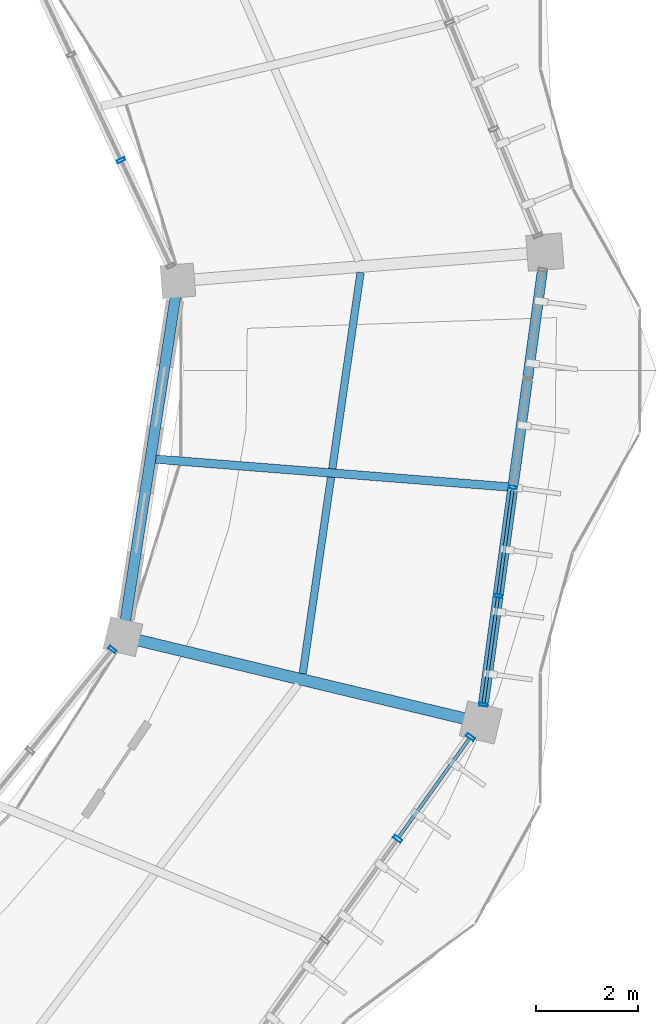
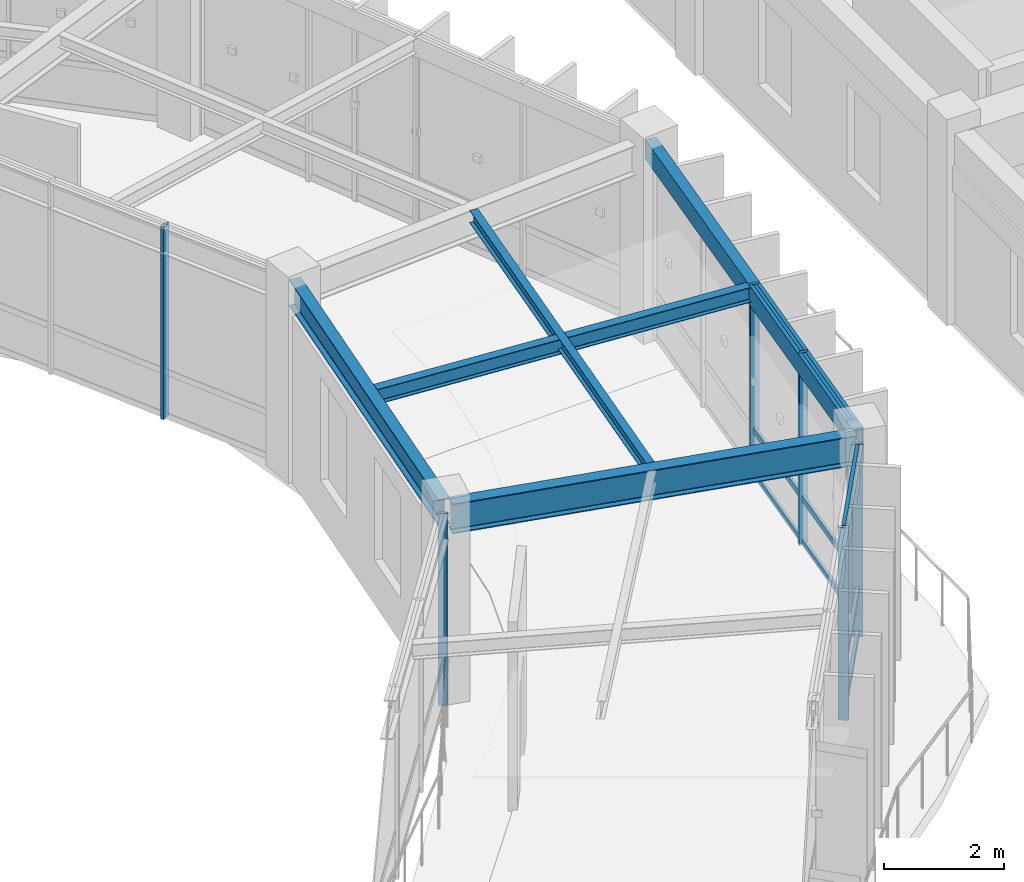
# One storey, part 89 of 138: 16 members, 5 beams, 4 elements without a shape of their own.
"""IFC4 building model written with IfcOpenShell, lengths in metres."""

from ifc_helpers import new_model, si_unit, direction, frame, origin, origin_2d, place, context, subcontext, project, spatial, hollow_rectangle, i_section, extrude, material, material_profile, profile_set, type_object, element, aggregate, save


model = new_model("IFC4")

# Units and contexts
model_context = context("Model", 3, precision=1e-05, world=origin(), true_north=direction((0.0, 1.0)))
body_context = subcontext(model_context, "Body", "Model", "MODEL_VIEW")
ifc_project = project(units=[si_unit("LENGTHUNIT", "METRE"), si_unit("AREAUNIT", "SQUARE_METRE"), si_unit("VOLUMEUNIT", "CUBIC_METRE"), si_unit("PLANEANGLEUNIT", "RADIAN"), si_unit("MASSUNIT", "GRAM", prefix="KILO"), si_unit("THERMODYNAMICTEMPERATUREUNIT", "KELVIN"), si_unit("POWERUNIT", "WATT")], contexts=[model_context])

# Site, building, storey
site_placement = place(None, origin())
site = spatial("IfcSite", under=ifc_project, at=site_placement, CompositionType="ELEMENT")
building_placement = place(site_placement, origin())
building = spatial("IfcBuilding", under=site, at=building_placement, Name="Darbajah Civic Hall", CompositionType="ELEMENT")
storey_placement = place(building_placement, frame((0.0, 0.0, 9.60009765625)))
storey = spatial("IfcBuildingStorey", under=building, at=storey_placement, Name="L02", CompositionType="ELEMENT", Elevation=9.60009765625)

# Curtain wall, member
ifc_material_1 = material(Name="Anodised Bronze Aluminium and Low-E Glazing", Category="aluminium")
curtain_wall_type_1 = type_object("IfcCurtainWallType", Name="Unitised Curtain Wall CW-38 6800x3900", PredefinedType="USERDEFINED", material=ifc_material_1)
curtain_wall_1_placement = place(storey_placement, origin())
curtain_wall_1 = element("IfcCurtainWall", 1, at=curtain_wall_1_placement, inside=storey, type_object=curtain_wall_type_1, Name="L02 unitised curtain wall CW-V1I-L02-00", ObjectType="UNITISED CURTAIN WALL", PredefinedType="USERDEFINED")
ifc_material_2 = material(Name="Anodised Bronze Aluminium", Category="aluminium")
ifc_material_profile_1 = material_profile(ifc_material_2, hollow_rectangle(XDim=0.06005859375, YDim=0.159912109375, WallThickness=0.00341796875, at=origin_2d()), Name="ALU MULLION 60x160")
ifc_profile_set_1 = profile_set([ifc_material_profile_1], Name="Anodised Bronze Aluminium")
member_type_1 = type_object("IfcMemberType", Name="ALU MULLION 60x160", PredefinedType="MULLION", material=ifc_profile_set_1)
member_1_placement = place(storey_placement, frame((131.652099609375, 93.90966796875, 0.0), z_axis=(0.0, 0.0, 1.0), x_axis=(-0.426568739901, 0.904455145454, 0.0)))
member_1 = element("IfcMember", 2, at=member_1_placement, type_object=member_type_1, Name="CW-V1I-L02-00 mullion 2", PredefinedType="MULLION", context=body_context, shape_type="SweptSolid", body=[
    extrude(hollow_rectangle(XDim=0.06005859375, YDim=0.159912109375, WallThickness=0.00341796875, at=origin_2d()), origin(), (0.0, 0.0, 1.0), 3.919921875),
])
aggregate(curtain_wall_1, [member_1])

curtain_wall_type_2 = type_object("IfcCurtainWallType", Name="Unitised Curtain Wall CW-52 7700x3900", PredefinedType="USERDEFINED", material=ifc_material_1)
curtain_wall_2_placement = place(storey_placement, origin())
curtain_wall_2 = element("IfcCurtainWall", 3, at=curtain_wall_2_placement, inside=storey, type_object=curtain_wall_type_2, Name="L02 unitised curtain wall CW-V1I-L02-18", ObjectType="UNITISED CURTAIN WALL", PredefinedType="USERDEFINED")
member_2_placement = place(storey_placement, frame((131.4833984375, 84.340576171875, 0.0), z_axis=(0.0, 0.0, 1.0), x_axis=(0.63108205791, 0.775716079622, 0.0)))
member_2 = element("IfcMember", 4, at=member_2_placement, type_object=member_type_1, Name="CW-V1I-L02-18 mullion 4", PredefinedType="MULLION", context=body_context, shape_type="SweptSolid", body=[
    extrude(hollow_rectangle(XDim=0.06005859375, YDim=0.159912109375, WallThickness=0.00341796875, at=origin_2d()), origin(), (0.0, 0.0, 1.0), 3.919921875),
])
aggregate(curtain_wall_2, [member_2])

# Curtain wall, members
curtain_wall_type_3 = type_object("IfcCurtainWallType", Name="Unitised Curtain Wall CW-53 8600x3900", PredefinedType="USERDEFINED", material=ifc_material_1)
curtain_wall_3_placement = place(storey_placement, origin())
curtain_wall_3 = element("IfcCurtainWall", 5, at=curtain_wall_3_placement, inside=storey, type_object=curtain_wall_type_3, Name="L02 unitised curtain wall CW-V1O-L02-19", ObjectType="UNITISED CURTAIN WALL", PredefinedType="USERDEFINED")
member_3_placement = place(storey_placement, frame((138.73828125, 83.26220703125, 0.0), z_axis=(0.0, 0.0, 1.0), x_axis=(0.134850930274, 0.990865897387, 0.0)))
member_3 = element("IfcMember", 6, at=member_3_placement, type_object=member_type_1, Name="CW-V1O-L02-19 mullion 1", PredefinedType="MULLION", context=body_context, shape_type="SweptSolid", body=[
    extrude(hollow_rectangle(XDim=0.06005859375, YDim=0.159912109375, WallThickness=0.00341796875, at=origin_2d()), origin(), (0.0, 0.0, 1.0), 3.919921875),
])
member_4_placement = place(storey_placement, frame((139.027587890625, 85.38818359375, 0.0), z_axis=(0.0, 0.0, 1.0), x_axis=(0.134850930274, 0.990865897387, 0.0)))
member_4 = element("IfcMember", 7, at=member_4_placement, type_object=member_type_1, Name="CW-V1O-L02-19 mullion 2", PredefinedType="MULLION", context=body_context, shape_type="SweptSolid", body=[
    extrude(hollow_rectangle(XDim=0.06005859375, YDim=0.159912109375, WallThickness=0.00341796875, at=origin_2d()), origin(), (0.0, 0.0, 1.0), 3.919921875),
])
member_5_placement = place(storey_placement, frame((139.31689453125, 87.513916015625, 0.0), z_axis=(0.0, 0.0, 1.0), x_axis=(0.134850930274, 0.990865897387, 0.0)))
member_5 = element("IfcMember", 8, at=member_5_placement, type_object=member_type_1, Name="CW-V1O-L02-19 mullion 3", PredefinedType="MULLION", context=body_context, shape_type="SweptSolid", body=[
    extrude(hollow_rectangle(XDim=0.06005859375, YDim=0.159912109375, WallThickness=0.00341796875, at=origin_2d()), origin(), (0.0, 0.0, 1.0), 3.919921875),
])

curtain_wall_type_4 = type_object("IfcCurtainWallType", Name="Unitised Curtain Wall CW-51 9800x3900", PredefinedType="USERDEFINED", material=ifc_material_1)
curtain_wall_4_placement = place(storey_placement, origin())
curtain_wall_4 = element("IfcCurtainWall", 9, at=curtain_wall_4_placement, inside=storey, type_object=curtain_wall_type_4, Name="L02 unitised curtain wall CW-V1O-L02-18", ObjectType="UNITISED CURTAIN WALL", PredefinedType="USERDEFINED")
ifc_material_profile_2 = material_profile(ifc_material_2, hollow_rectangle(XDim=0.06494140625, YDim=0.179931640625, WallThickness=0.00390625, at=origin_2d()), Name="ALU MULLION 65x180")
ifc_profile_set_2 = profile_set([ifc_material_profile_2], Name="Anodised Bronze Aluminium")
member_type_2 = type_object("IfcMemberType", Name="ALU MULLION 65x180", PredefinedType="MULLION", material=ifc_profile_set_2)
member_6_placement = place(storey_placement, frame((137.06201171875, 80.638427734375, 0.0), z_axis=(0.0, 0.0, 1.0), x_axis=(0.582264874145, 0.812999149039, 0.0)))
member_6 = element("IfcMember", 10, at=member_6_placement, type_object=member_type_2, Name="CW-V1O-L02-18 mullion 4", PredefinedType="MULLION", context=body_context, shape_type="SweptSolid", body=[
    extrude(hollow_rectangle(XDim=0.06494140625, YDim=0.179931640625, WallThickness=0.00390625, at=origin_2d()), origin(), (0.0, 0.0, 1.0), 3.919921875),
])
member_7_placement = place(storey_placement, frame((138.486083984375, 82.627197265625, 0.0), z_axis=(0.0, 0.0, 1.0), x_axis=(0.582264874145, 0.812999149039, 0.0)))
member_7 = element("IfcMember", 11, at=member_7_placement, type_object=member_type_2, Name="CW-V1O-L02-18 mullion 5", PredefinedType="MULLION", context=body_context, shape_type="SweptSolid", body=[
    extrude(hollow_rectangle(XDim=0.06494140625, YDim=0.179931640625, WallThickness=0.00390625, at=origin_2d()), origin(), (0.0, 0.0, 1.0), 3.919921875),
])

# Member
ifc_material_profile_3 = material_profile(ifc_material_2, hollow_rectangle(XDim=0.06005859375, YDim=0.1201171875, WallThickness=0.003173828125, at=origin_2d()), Name="ALU TRANSOM 60x120")
ifc_profile_set_3 = profile_set([ifc_material_profile_3], Name="Anodised Bronze Aluminium")
member_type_3 = type_object("IfcMemberType", Name="ALU TRANSOM 60x120", PredefinedType="USERDEFINED", material=ifc_profile_set_3)
member_8_placement = place(storey_placement, frame((138.7431640625, 83.296875, 0.059814453125), z_axis=(0.13479825874, 0.990873064242, 0.0), x_axis=(-0.990873064242, 0.13479825874, 0.0)))
member_8 = element("IfcMember", 12, at=member_8_placement, type_object=member_type_3, Name="CW-V1O-L02-19 transom 1.1", ObjectType="TRANSOM", PredefinedType="USERDEFINED", context=body_context, shape_type="SweptSolid", body=[
    extrude(hollow_rectangle(XDim=0.06005859375, YDim=0.1201171875, WallThickness=0.003173828125, at=origin_2d()), origin(), (0.0, 0.0, 1.0), 2.07568359375),
])

member_9_placement = place(storey_placement, frame((138.7431640625, 83.296875, 0.949951171875), z_axis=(0.13479825874, 0.990873064242, 0.0), x_axis=(-0.990873064242, 0.13479825874, 0.0)))
member_9 = element("IfcMember", 13, at=member_9_placement, type_object=member_type_3, Name="CW-V1O-L02-19 transom 1.2", ObjectType="TRANSOM", PredefinedType="USERDEFINED", context=body_context, shape_type="SweptSolid", body=[
    extrude(hollow_rectangle(XDim=0.06005859375, YDim=0.1201171875, WallThickness=0.003173828125, at=origin_2d()), origin(), (0.0, 0.0, 1.0), 2.07568359375),
])

member_10_placement = place(storey_placement, frame((138.7431640625, 83.296875, 3.85986328125), z_axis=(0.13479825874, 0.990873064242, 0.0), x_axis=(-0.990873064242, 0.13479825874, 0.0)))
member_10 = element("IfcMember", 14, at=member_10_placement, type_object=member_type_3, Name="CW-V1O-L02-19 transom 1.3", ObjectType="TRANSOM", PredefinedType="USERDEFINED", context=body_context, shape_type="SweptSolid", body=[
    extrude(hollow_rectangle(XDim=0.06005859375, YDim=0.1201171875, WallThickness=0.003173828125, at=origin_2d()), origin(), (0.0, 0.0, 1.0), 2.07568359375),
])

member_11_placement = place(storey_placement, frame((139.0322265625, 85.4228515625, 0.059814453125), z_axis=(0.134813971487, 0.990870926555, 0.0), x_axis=(-0.990870926555, 0.134813971487, 0.0)))
member_11 = element("IfcMember", 15, at=member_11_placement, type_object=member_type_3, Name="CW-V1O-L02-19 transom 2.1", ObjectType="TRANSOM", PredefinedType="USERDEFINED", context=body_context, shape_type="SweptSolid", body=[
    extrude(hollow_rectangle(XDim=0.06005859375, YDim=0.1201171875, WallThickness=0.003173828125, at=origin_2d()), origin(), (0.0, 0.0, 1.0), 2.075439453125),
])

member_12_placement = place(storey_placement, frame((139.0322265625, 85.4228515625, 0.949951171875), z_axis=(0.134813971487, 0.990870926555, 0.0), x_axis=(-0.990870926555, 0.134813971487, 0.0)))
member_12 = element("IfcMember", 16, at=member_12_placement, type_object=member_type_3, Name="CW-V1O-L02-19 transom 2.2", ObjectType="TRANSOM", PredefinedType="USERDEFINED", context=body_context, shape_type="SweptSolid", body=[
    extrude(hollow_rectangle(XDim=0.06005859375, YDim=0.1201171875, WallThickness=0.003173828125, at=origin_2d()), origin(), (0.0, 0.0, 1.0), 2.075439453125),
])

member_13_placement = place(storey_placement, frame((139.0322265625, 85.4228515625, 3.85986328125), z_axis=(0.134813971487, 0.990870926555, 0.0), x_axis=(-0.990870926555, 0.134813971487, 0.0)))
member_13 = element("IfcMember", 17, at=member_13_placement, type_object=member_type_3, Name="CW-V1O-L02-19 transom 2.3", ObjectType="TRANSOM", PredefinedType="USERDEFINED", context=body_context, shape_type="SweptSolid", body=[
    extrude(hollow_rectangle(XDim=0.06005859375, YDim=0.1201171875, WallThickness=0.003173828125, at=origin_2d()), origin(), (0.0, 0.0, 1.0), 2.075439453125),
])

aggregate(curtain_wall_3, [member_3, member_4, member_5, member_8, member_9, member_10, member_11, member_12, member_13])

ifc_material_profile_4 = material_profile(ifc_material_2, hollow_rectangle(XDim=0.06494140625, YDim=0.139892578125, WallThickness=0.00341796875, at=origin_2d()), Name="ALU TRANSOM 65x140")
ifc_profile_set_4 = profile_set([ifc_material_profile_4], Name="Anodised Bronze Aluminium")
member_type_4 = type_object("IfcMemberType", Name="ALU TRANSOM 65x140", PredefinedType="USERDEFINED", material=ifc_profile_set_4)
member_14_placement = place(storey_placement, frame((137.083740234375, 80.6689453125, 0.06982421875), z_axis=(0.582192353492, 0.81305108298, 0.0), x_axis=(-0.81305108298, 0.582192353492, 0.0)))
member_14 = element("IfcMember", 18, at=member_14_placement, type_object=member_type_4, Name="CW-V1O-L02-18 transom 4.1", ObjectType="TRANSOM", PredefinedType="USERDEFINED", context=body_context, shape_type="SweptSolid", body=[
    extrude(hollow_rectangle(XDim=0.06494140625, YDim=0.139892578125, WallThickness=0.00341796875, at=origin_2d()), origin(), (0.0, 0.0, 1.0), 2.37109375),
])

member_15_placement = place(storey_placement, frame((137.083740234375, 80.6689453125, 0.949951171875), z_axis=(0.582192353492, 0.81305108298, 0.0), x_axis=(-0.81305108298, 0.582192353492, 0.0)))
member_15 = element("IfcMember", 19, at=member_15_placement, type_object=member_type_4, Name="CW-V1O-L02-18 transom 4.2", ObjectType="TRANSOM", PredefinedType="USERDEFINED", context=body_context, shape_type="SweptSolid", body=[
    extrude(hollow_rectangle(XDim=0.06494140625, YDim=0.139892578125, WallThickness=0.00341796875, at=origin_2d()), origin(), (0.0, 0.0, 1.0), 2.37109375),
])

member_16_placement = place(storey_placement, frame((137.083740234375, 80.6689453125, 3.849853515625), z_axis=(0.582192353492, 0.81305108298, 0.0), x_axis=(-0.81305108298, 0.582192353492, 0.0)))
member_16 = element("IfcMember", 20, at=member_16_placement, type_object=member_type_4, Name="CW-V1O-L02-18 transom 4.3", ObjectType="TRANSOM", PredefinedType="USERDEFINED", context=body_context, shape_type="SweptSolid", body=[
    extrude(hollow_rectangle(XDim=0.06494140625, YDim=0.139892578125, WallThickness=0.00341796875, at=origin_2d()), origin(), (0.0, 0.0, 1.0), 2.37109375),
])

aggregate(curtain_wall_4, [member_6, member_7, member_14, member_15, member_16])

# Beams
ifc_material_3 = material(Name="Steel S355JR", Category="steel")
ifc_material_profile_5 = material_profile(ifc_material_3, hollow_rectangle(XDim=0.199951171875, YDim=0.39990234375, WallThickness=0.013916015625, at=origin_2d()), Name="RHS 400x200x14")
ifc_profile_set_5 = profile_set([ifc_material_profile_5], Name="Steel S355JR")
beam_type_1 = type_object("IfcBeamType", Name="RHS 400x200x14", PredefinedType="SPANDREL", material=ifc_profile_set_5)
beam_1_placement = place(storey_placement, frame((138.70166015625, 82.99267578125, 3.719970703125), z_axis=(0.134807575565, 0.990871796738, 0.0), x_axis=(-0.990871796738, 0.134807575565, 0.0)))
element("IfcBeam", 21, at=beam_1_placement, inside=storey, type_object=beam_type_1, Name="L02 beam SP-RHS400", PredefinedType="SPANDREL", context=body_context, shape_type="SweptSolid", body=[
    extrude(hollow_rectangle(XDim=0.199951171875, YDim=0.39990234375, WallThickness=0.013916015625, at=origin_2d()), origin(), (0.0, 0.0, 1.0), 9.125732421875),
])
ifc_material_profile_6 = material_profile(ifc_material_3, i_section(OverallWidth=0.146484375, OverallDepth=0.256103515625, WebThickness=0.00634765625, FlangeThickness=0.010986328125, FilletRadius=0.007568359375, at=origin_2d()), Name="UB 254x146x37")
ifc_profile_set_6 = profile_set([ifc_material_profile_6], Name="Steel S355JR")
beam_type_2 = type_object("IfcBeamType", Name="UB 254x146x37", PredefinedType="JOIST", material=ifc_profile_set_6)
beam_2_placement = place(storey_placement, frame((135.206787109375, 83.86865234375, 3.7919921875), z_axis=(0.142580747671, 0.989783173424, 0.0), x_axis=(-0.989783173424, 0.142580747671, 0.0)))
element("IfcBeam", 22, at=beam_2_placement, inside=storey, type_object=beam_type_2, Name="L02 beam SJ-254", PredefinedType="JOIST", context=body_context, shape_type="SweptSolid", body=[
    extrude(i_section(OverallWidth=0.146484375, OverallDepth=0.256103515625, WebThickness=0.00634765625, FlangeThickness=0.010986328125, FilletRadius=0.007568359375, at=origin_2d()), origin(), (0.0, 0.0, 1.0), 7.9296875),
])
ifc_material_profile_7 = material_profile(ifc_material_3, i_section(OverallWidth=0.165771484375, OverallDepth=0.306640625, WebThickness=0.006591796875, FlangeThickness=0.01171875, FilletRadius=0.0087890625, at=origin_2d()), Name="UB 305x165x46")
ifc_profile_set_7 = profile_set([ifc_material_profile_7], Name="Steel S355JR")
beam_type_3 = type_object("IfcBeamType", Name="UB 305x165x46", PredefinedType="JOIST", material=ifc_profile_set_7)
beam_3_placement = place(storey_placement, frame((132.3330078125, 88.063720703125, 3.7666015625), z_axis=(0.996916012499, -0.078475881788, 0.0), x_axis=(0.078475881788, 0.996916012499, 0.0)))
element("IfcBeam", 23, at=beam_3_placement, inside=storey, type_object=beam_type_3, Name="L02 beam SJ-305", PredefinedType="JOIST", context=body_context, shape_type="SweptSolid", body=[
    extrude(i_section(OverallWidth=0.165771484375, OverallDepth=0.306640625, WebThickness=0.006591796875, FlangeThickness=0.01171875, FilletRadius=0.0087890625, at=origin_2d()), origin(), (0.0, 0.0, 1.0), 6.9033203125),
])
ifc_material_profile_8 = material_profile(ifc_material_3, i_section(OverallWidth=0.209228515625, OverallDepth=0.533203125, WebThickness=0.010009765625, FlangeThickness=0.015625, FilletRadius=0.0126953125, at=origin_2d()), Name="UB 533x210x92")
ifc_profile_set_8 = profile_set([ifc_material_profile_8], Name="Steel S355JR")
beam_type_4 = type_object("IfcBeamType", Name="UB 533x210x92", PredefinedType="BEAM", material=ifc_profile_set_8)
beam_4_placement = place(storey_placement, frame((131.701904296875, 84.67333984375, 3.6533203125), z_axis=(0.152777334871, 0.988260636649, 0.0), x_axis=(-0.988260636649, 0.152777334871, 0.0)))
element("IfcBeam", 24, at=beam_4_placement, inside=storey, type_object=beam_type_4, Name="L02 beam SB-533", PredefinedType="BEAM", context=body_context, shape_type="SweptSolid", body=[
    extrude(i_section(OverallWidth=0.209228515625, OverallDepth=0.533203125, WebThickness=0.010009765625, FlangeThickness=0.015625, FilletRadius=0.0126953125, at=origin_2d()), origin(), (0.0, 0.0, 1.0), 6.8779296875),
])
ifc_material_profile_9 = material_profile(ifc_material_3, i_section(OverallWidth=0.228271484375, OverallDepth=0.607666015625, WebThickness=0.010986328125, FlangeThickness=0.017333984375, FilletRadius=0.0126953125, at=origin_2d()), Name="UB 610x229x113")
ifc_profile_set_9 = profile_set([ifc_material_profile_9], Name="Steel S355JR")
beam_type_5 = type_object("IfcBeamType", Name="UB 610x229x113", PredefinedType="BEAM", material=ifc_profile_set_9)
beam_5_placement = place(storey_placement, frame((131.767578125, 84.575439453125, 3.6162109375), z_axis=(0.972374394108, -0.233426728726, 0.0), x_axis=(0.233426728726, 0.972374394108, 0.0)))
element("IfcBeam", 25, at=beam_5_placement, inside=storey, type_object=beam_type_5, Name="L02 beam SB-610", PredefinedType="BEAM", context=body_context, shape_type="SweptSolid", body=[
    extrude(i_section(OverallWidth=0.228271484375, OverallDepth=0.607666015625, WebThickness=0.010986328125, FlangeThickness=0.017333984375, FilletRadius=0.0126953125, at=origin_2d()), origin(), (0.0, 0.0, 1.0), 7.0400390625),
])

save(model, "model.ifc")
